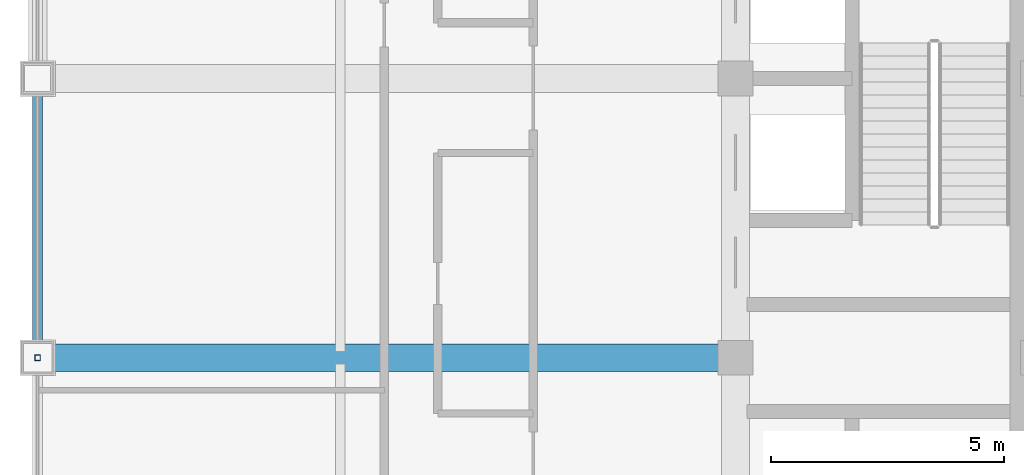
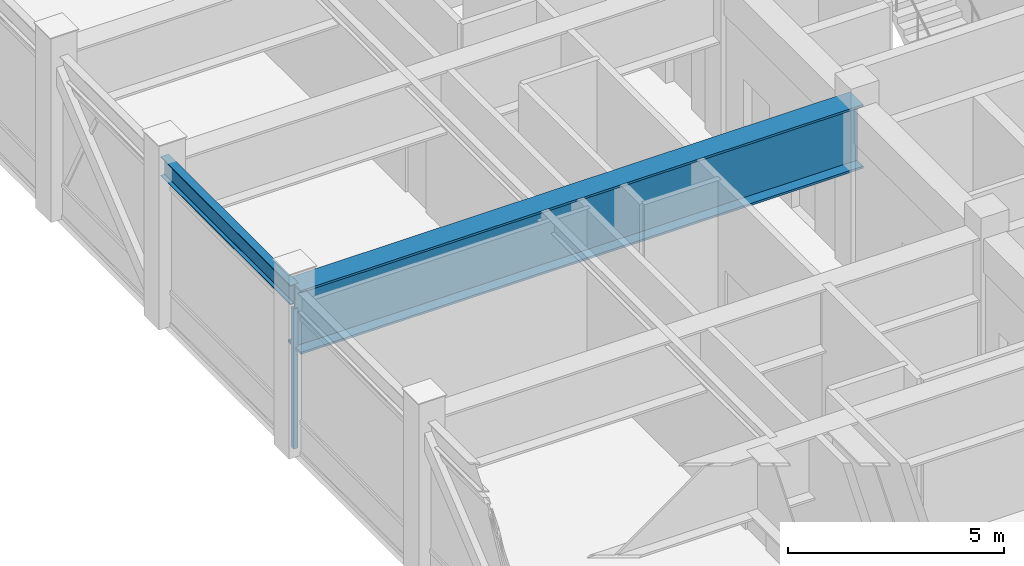
# One storey, part 6 of 29: 2 beams, 1 member, 1 element without a shape of its own.
"""IFC4 building model written with IfcOpenShell, lengths in metres."""

from ifc_helpers import new_model, si_unit, direction, frame, origin, origin_2d, place, context, subcontext, project, spatial, hollow_rectangle, i_section, extrude, source, transform, mapped, material, material_profile, profile_set, type_object, element, aggregate, save


model = new_model("IFC4")

# Units and contexts
model_context = context("Model", 3, precision=1e-05, world=origin(), true_north=direction((0.0, 1.0)))
body_context = subcontext(model_context, "Body", "Model", "MODEL_VIEW")
ifc_project = project(units=[si_unit("LENGTHUNIT", "METRE"), si_unit("AREAUNIT", "SQUARE_METRE"), si_unit("VOLUMEUNIT", "CUBIC_METRE"), si_unit("PLANEANGLEUNIT", "RADIAN"), si_unit("MASSUNIT", "GRAM", prefix="KILO")], contexts=[model_context])

# Site, building, storey
site_placement = place(None, origin())
site = spatial("IfcSite", under=ifc_project, at=site_placement, CompositionType="ELEMENT")
building_placement = place(site_placement, origin())
building = spatial("IfcBuilding", under=site, at=building_placement, Name="Khorayat Bourse Tower", CompositionType="ELEMENT")
storey_placement = place(building_placement, frame((0.0, 0.0, 370.300048828125)))
storey = spatial("IfcBuildingStorey", under=building, at=storey_placement, Name="L88", CompositionType="ELEMENT", Elevation=370.300048828125)

# Beams
ifc_material_1 = material(Name="Steel ASTM A992 Grade 50", Category="steel")
ifc_material_profile_1 = material_profile(ifc_material_1, i_section(OverallWidth=0.214111328125, OverallDepth=0.549072265625, WebThickness=0.0146484375, FlangeThickness=0.023681640625, FilletRadius=0.013916015625, at=origin_2d()), Name="W530X138")
ifc_profile_set_1 = profile_set([ifc_material_profile_1], Name="Steel ASTM A992 Grade 50")
beam_type_1 = type_object("IfcBeamType", Name="BM-SPAN-530", PredefinedType="SPANDREL", material=ifc_profile_set_1)
shared_shape_1 = source(origin(), body_context, "Body", "SweptSolid", [
    extrude(i_section(OverallWidth=0.214111328125, OverallDepth=0.549072265625, WebThickness=0.0146484375, FlangeThickness=0.023681640625, FilletRadius=0.013916015625, at=origin_2d()), origin(), (0.0, 0.0, 1.0), 6.0),
])
beam_1_placement = place(storey_placement, frame((-26.0, 0.0, 4.325439453125), z_axis=(0.0, 1.0, 0.0), x_axis=(-1.0, 0.0, 0.0)))
element("IfcBeam", 1, at=beam_1_placement, inside=storey, type_object=beam_type_1, Name="L88 BM-SPAN-530 BM-L88-SPN-050", PredefinedType="SPANDREL", context=body_context, shape_type="MappedRepresentation", body=[
    mapped(shared_shape_1, transform((0.0, 0.0, 0.0), scale=1.0)),
])
ifc_material_2 = material(Name="Steel EN 10025-4 S460M", Category="steel")
ifc_material_profile_2 = material_profile(ifc_material_2, i_section(OverallWidth=0.60009765625, OverallDepth=1.800048828125, WebThickness=0.031982421875, FlangeThickness=0.06005859375, at=origin_2d()), Name="PG 1800x600x32x60")
ifc_profile_set_2 = profile_set([ifc_material_profile_2], Name="Steel EN 10025-4 S460M")
beam_type_2 = type_object("IfcBeamType", Name="BM-TR-1800", PredefinedType="BEAM", material=ifc_profile_set_2)
shared_shape_2 = source(origin(), body_context, "Body", "SweptSolid", [
    extrude(i_section(OverallWidth=0.60009765625, OverallDepth=1.800048828125, WebThickness=0.031982421875, FlangeThickness=0.06005859375, at=origin_2d()), origin(), (0.0, 0.0, 1.0), 15.0),
])
beam_2_placement = place(storey_placement, frame((-26.0, 0.0, 3.699951171875), z_axis=(1.0, 0.0, 0.0), x_axis=(0.0, 1.0, 0.0)))
element("IfcBeam", 2, at=beam_2_placement, inside=storey, type_object=beam_type_2, Name="L88 BM-TR-1800 BM-L88-RADX-071", PredefinedType="BEAM", context=body_context, shape_type="MappedRepresentation", body=[
    mapped(shared_shape_2, transform((0.0, 0.0, 0.0), scale=1.0)),
])

# Curtain wall, member
ifc_material_3 = material(Name="Aluminium EN AW-6063 T6", Category="aluminium")
curtain_wall_type = type_object("IfcCurtainWallType", Name="CW-SYS-04", PredefinedType="NOTDEFINED", material=ifc_material_3)
curtain_wall_placement = place(storey_placement, origin())
curtain_wall = element("IfcCurtainWall", 3, at=curtain_wall_placement, inside=storey, type_object=curtain_wall_type, Name="L88 Curtain Wall CW-L88-W1", PredefinedType="NOTDEFINED")
ifc_material_profile_3 = material_profile(ifc_material_3, hollow_rectangle(XDim=0.1201171875, YDim=0.1201171875, WallThickness=0.0048828125, at=origin_2d()), Name="ALU 120x120x5")
ifc_profile_set_3 = profile_set([ifc_material_profile_3], Name="Aluminium EN AW-6063 T6")
member_type = type_object("IfcMemberType", Name="CWM-VERT-120", PredefinedType="MULLION", material=ifc_profile_set_3)
shared_shape_3 = source(origin(), body_context, "Body", "SweptSolid", [
    extrude(hollow_rectangle(XDim=0.1201171875, YDim=0.1201171875, WallThickness=0.0048828125, at=origin_2d()), origin(), (0.0, 0.0, 1.0), 3.949951171875),
])
member_placement = place(storey_placement, frame((-26.0, 0.0, 0.0), z_axis=(0.0, 0.0, 1.0), x_axis=(-1.0, 0.0, 0.0)))
member = element("IfcMember", 4, at=member_placement, type_object=member_type, Name="CW-L88-W1 Vertical Mullion 2", PredefinedType="MULLION", context=body_context, shape_type="MappedRepresentation", body=[
    mapped(shared_shape_3, transform((0.0, 0.0, 0.0), scale=1.0)),
])
aggregate(curtain_wall, [member])

save(model, "model.ifc")
